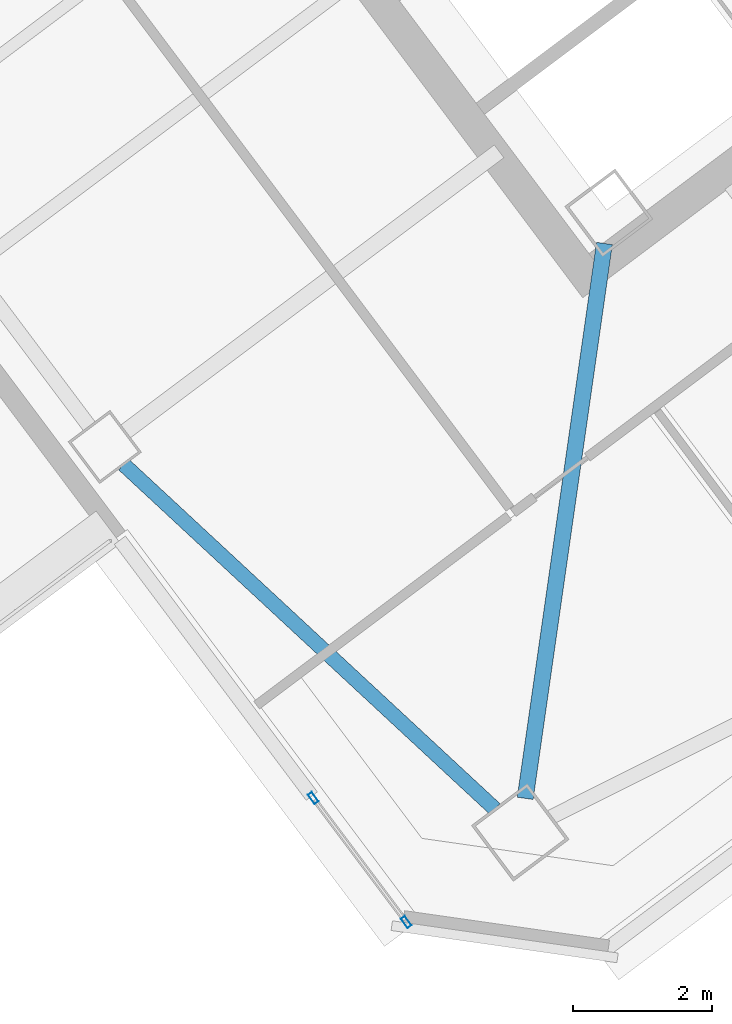
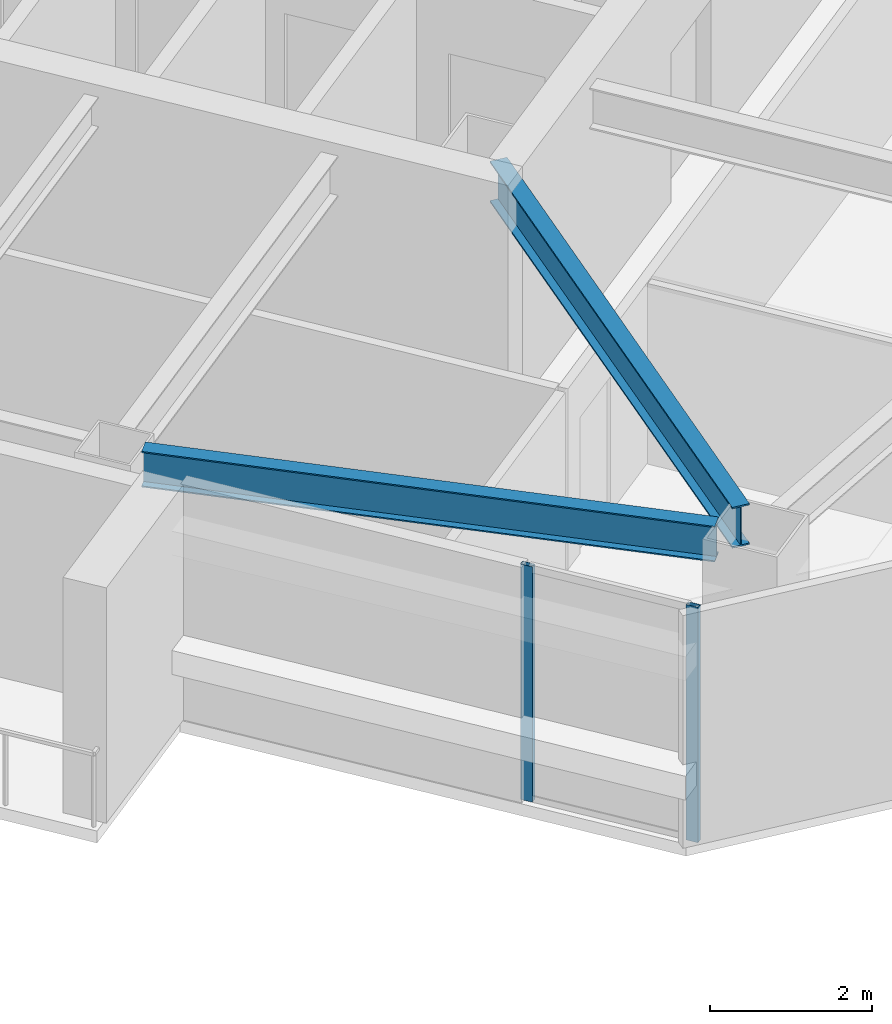
# One storey, part 17 of 40: 2 beams, 2 members, 1 element without a shape of its own.
"""IFC4 building model written with IfcOpenShell, lengths in metres."""

from ifc_helpers import new_model, si_unit, direction, frame, origin, origin_2d, place, context, subcontext, project, spatial, hollow_rectangle, i_section, extrude, material, material_profile, profile_set, type_object, element, aggregate, save


model = new_model("IFC4")

# Units and contexts
model_context = context("Model", 3, precision=1e-05, world=origin(), true_north=direction((0.0, 1.0)))
body_context = subcontext(model_context, "Body", "Model", "MODEL_VIEW")
ifc_project = project(units=[si_unit("LENGTHUNIT", "METRE"), si_unit("AREAUNIT", "SQUARE_METRE"), si_unit("VOLUMEUNIT", "CUBIC_METRE"), si_unit("PLANEANGLEUNIT", "RADIAN"), si_unit("MASSUNIT", "GRAM", prefix="KILO")], contexts=[model_context])

# Site, building, storey
site_placement = place(None, origin())
site = spatial("IfcSite", under=ifc_project, at=site_placement, CompositionType="ELEMENT")
building_placement = place(site_placement, origin())
building = spatial("IfcBuilding", under=site, at=building_placement, Name="Tashvorn Skyway Center", CompositionType="ELEMENT")
storey_placement = place(building_placement, frame((0.0, 0.0, 221.949951171875)))
storey = spatial("IfcBuildingStorey", under=building, at=storey_placement, Name="L60", CompositionType="ELEMENT", Elevation=221.949951171875)

# Beams
ifc_material_1 = material(Name="Steel ASTM A992 Grade 50", Category="steel")
ifc_material_profile_1 = material_profile(ifc_material_1, i_section(OverallWidth=0.22998046875, OverallDepth=0.616943359375, WebThickness=0.01318359375, FlangeThickness=0.022216796875, at=origin_2d()), Name="W24X94")
ifc_profile_set_1 = profile_set([ifc_material_profile_1], Name="Steel ASTM A992 Grade 50")
beam_type_1 = type_object("IfcBeamType", Name="BM-BEAM-W24X94", PredefinedType="BEAM", material=ifc_profile_set_1)
beam_1_placement = place(storey_placement, frame((111.389892578125, 13.72998046875, 3.0615234375), z_axis=(0.141438360399, 0.989947064346, 0.0), x_axis=(-0.989947064346, 0.141438360399, 0.0)))
element("IfcBeam", 1, at=beam_1_placement, inside=storey, type_object=beam_type_1, Name="Tower 2 L60 Primary Floor Girder MC-SW", PredefinedType="BEAM", context=body_context, shape_type="SweptSolid", body=[
    extrude(i_section(OverallWidth=0.22998046875, OverallDepth=0.616943359375, WebThickness=0.01318359375, FlangeThickness=0.022216796875, at=origin_2d()), origin(), (0.0, 0.0, 1.0), 8.040283203125),
])
ifc_material_profile_2 = material_profile(ifc_material_1, i_section(OverallWidth=0.2109375, OverallDepth=0.5390625, WebThickness=0.01171875, FlangeThickness=0.018798828125, at=origin_2d()), Name="W21X73")
ifc_profile_set_2 = profile_set([ifc_material_profile_2], Name="Steel ASTM A992 Grade 50")
beam_type_2 = type_object("IfcBeamType", Name="BM-SPANDREL-W21X73", PredefinedType="SPANDREL", material=ifc_profile_set_2)
beam_2_placement = place(storey_placement, frame((105.63134765625, 18.518310546875, 3.1005859375), z_axis=(0.733042389989, -0.680182956622, 0.0), x_axis=(0.680182956622, 0.733042389989, 0.0)))
element("IfcBeam", 2, at=beam_2_placement, inside=storey, type_object=beam_type_2, Name="Tower 2 L60 Spandrel Beam 12", PredefinedType="SPANDREL", context=body_context, shape_type="SweptSolid", body=[
    extrude(i_section(OverallWidth=0.2109375, OverallDepth=0.5390625, WebThickness=0.01171875, FlangeThickness=0.018798828125, at=origin_2d()), origin(), (0.0, 0.0, 1.0), 7.26513671875),
])

# Curtain wall, members
ifc_material_2 = material(Name="Thermally broken bronze-anodized aluminium 6063-T6", Category="aluminium")
curtain_wall_type = type_object("IfcCurtainWallType", Name="CW-CW-Z5", PredefinedType="NOTDEFINED", material=ifc_material_2)
curtain_wall_placement = place(storey_placement, origin())
curtain_wall = element("IfcCurtainWall", 3, at=curtain_wall_placement, inside=storey, type_object=curtain_wall_type, Name="Tower 2 L60 West Curtain Wall L Glazing Group 1", PredefinedType="NOTDEFINED")
ifc_material_profile_3 = material_profile(ifc_material_2, hollow_rectangle(XDim=0.070068359375, YDim=0.1650390625, WallThickness=0.00390625, at=origin_2d()), Name="ALU-MULL-70x165")
ifc_profile_set_3 = profile_set([ifc_material_profile_3], Name="Thermally broken bronze-anodized aluminium 6063-T6")
member_type = type_object("IfcMemberType", Name="CWM-CW-Z5", PredefinedType="MULLION", material=ifc_profile_set_3)
member_1_placement = place(storey_placement, frame((109.68310546875, 11.9560546875, 0.0), z_axis=(0.0, 0.0, 1.0), x_axis=(-0.800005232469, -0.599993023312, 0.0)))
member_1 = element("IfcMember", 4, at=member_1_placement, type_object=member_type, Name="CW-Z5 mullion 1", PredefinedType="MULLION", context=body_context, shape_type="SweptSolid", body=[
    extrude(hollow_rectangle(XDim=0.070068359375, YDim=0.1650390625, WallThickness=0.00390625, at=origin_2d()), origin(), (0.0, 0.0, 1.0), 3.550048828125),
])
member_2_placement = place(storey_placement, frame((108.34912109375, 13.734619140625, 0.0), z_axis=(0.0, 0.0, 1.0), x_axis=(-0.800005232469, -0.599993023312, 0.0)))
member_2 = element("IfcMember", 5, at=member_2_placement, type_object=member_type, Name="CW-Z5 mullion 2", PredefinedType="MULLION", context=body_context, shape_type="SweptSolid", body=[
    extrude(hollow_rectangle(XDim=0.070068359375, YDim=0.1650390625, WallThickness=0.00390625, at=origin_2d()), origin(), (0.0, 0.0, 1.0), 3.550048828125),
])
aggregate(curtain_wall, [member_1, member_2])

save(model, "model.ifc")
